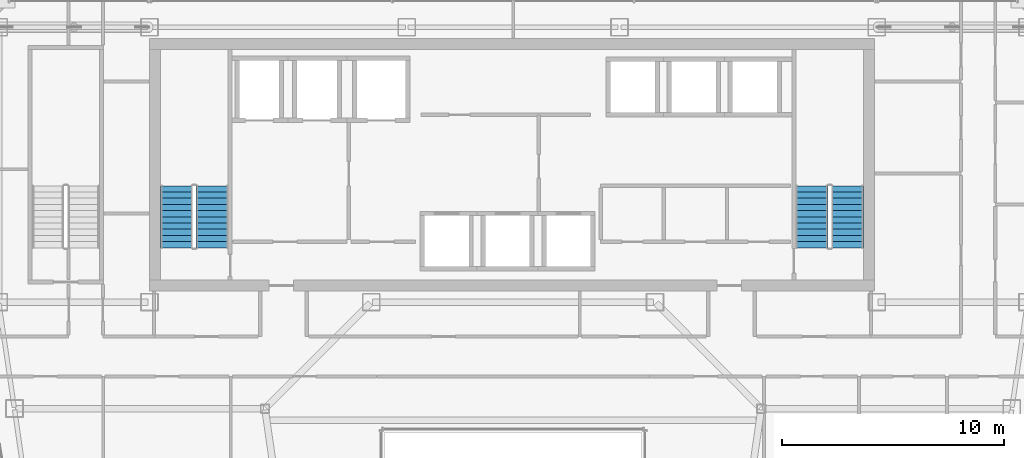
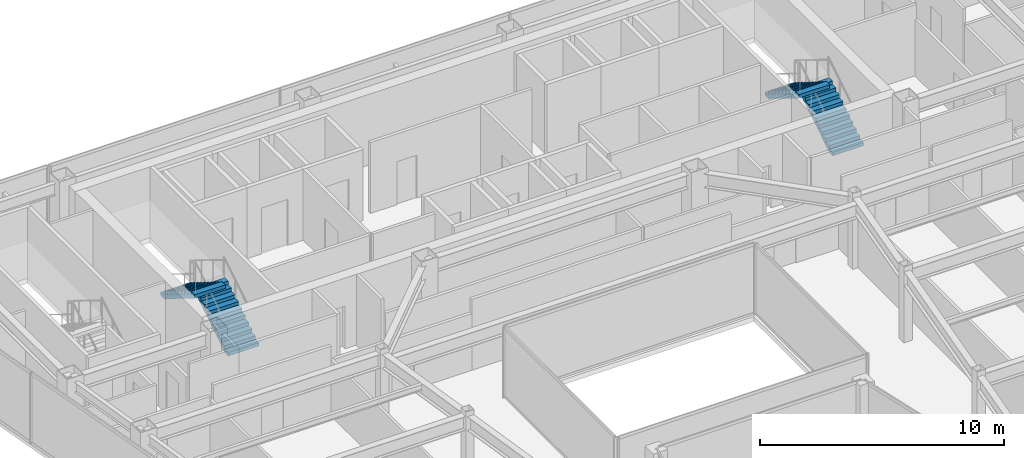
# One storey, part 33 of 36: 4 stair flights, 2 elements without a shape of their own.
"""IFC4 building model written with IfcOpenShell, lengths in metres."""

from ifc_helpers import new_model, si_unit, direction, frame, origin, place, context, subcontext, project, spatial, polyline, outline, extrude, material, type_object, element, aggregate, save


model = new_model("IFC4")

# Units and contexts
model_context = context("Model", 3, precision=1e-05, world=origin(), true_north=direction((0.0, 1.0)))
body_context = subcontext(model_context, "Body", "Model", "MODEL_VIEW")
ifc_project = project(units=[si_unit("LENGTHUNIT", "METRE"), si_unit("AREAUNIT", "SQUARE_METRE"), si_unit("VOLUMEUNIT", "CUBIC_METRE"), si_unit("PLANEANGLEUNIT", "RADIAN"), si_unit("MASSUNIT", "GRAM", prefix="KILO")], contexts=[model_context])

# Site, building, storey
site_placement = place(None, origin())
site = spatial("IfcSite", under=ifc_project, at=site_placement, CompositionType="ELEMENT")
building_placement = place(site_placement, origin())
building = spatial("IfcBuilding", under=site, at=building_placement, Name="Saevonmaru Cultural Tower", CompositionType="ELEMENT")
storey_placement = place(building_placement, frame((0.0, 0.0, 205.60009765625)))
storey = spatial("IfcBuildingStorey", under=building, at=storey_placement, Name="L47", CompositionType="ELEMENT", Elevation=205.60009765625)

# Stair, stair flights
ifc_material_1 = material(Name="Concrete C40/50", Category="concrete")
stair_type = type_object("IfcStairType", Name="STR-DOGLEG-RC", PredefinedType="HALF_TURN_STAIR", material=ifc_material_1)
stair_1_placement = place(storey_placement, origin())
stair_1 = element("IfcStair", 1, at=stair_1_placement, inside=storey, type_object=stair_type, Name="L47 Protected exit stair ST-1", PredefinedType="HALF_TURN_STAIR")
ifc_material_2 = material(Name="Precast concrete C40/50", Category="concrete")
stair_flight_type = type_object("IfcStairFlightType", Name="STF-PRECAST-180", PredefinedType="STRAIGHT", material=ifc_material_2)
stair_flight_1_placement = place(storey_placement, frame((16.425048828125, 44.85009765625, 0.0), z_axis=(0.0, 0.0, 1.0), x_axis=(0.0, 1.0, 0.0)))
stair_flight_1 = element("IfcStairFlight", 2, at=stair_flight_1_placement, type_object=stair_flight_type, Name="ST-1-L47 flight 1", NumberOfRisers=11, NumberOfTreads=10, PredefinedType="STRAIGHT", RiserHeight=0.172727273, TreadLength=0.28, context=body_context, shape_type="SweptSolid", body=[
    extrude(outline(polyline([(0.0, 0.0), (0.0, 0.172607421875), (0.280029296875, 0.172607421875), (0.280029296875, 0.345458984375), (0.56005859375, 0.345458984375), (0.56005859375, 0.51806640625), (0.840087890625, 0.51806640625), (0.840087890625, 0.69091796875), (1.1201171875, 0.69091796875), (1.1201171875, 0.863525390625), (1.39990234375, 0.863525390625), (1.39990234375, 1.036376953125), (1.679931640625, 1.036376953125), (1.679931640625, 1.208984375), (1.9599609375, 1.208984375), (1.9599609375, 1.3818359375), (2.239990234375, 1.3818359375), (2.239990234375, 1.554443359375), (2.52001953125, 1.554443359375), (2.52001953125, 1.727294921875), (2.800048828125, 1.727294921875), (2.800048828125, 1.89990234375), (2.800048828125, 1.551025390625), (0.285400390625, 0.0), (0.0, 0.0)])), frame((0.0, 0.72509765625, 0.0), z_axis=(0.0, -1.0, 0.0), x_axis=(1.0, 0.0, 0.0)), (0.0, 0.0, 1.0), 1.449951171875),
])
stair_flight_2_placement = place(storey_placement, frame((14.824951171875, 47.64990234375, 1.89990234375), z_axis=(0.0, 0.0, 1.0), x_axis=(0.0, -1.0, 0.0)))
stair_flight_2 = element("IfcStairFlight", 3, at=stair_flight_2_placement, type_object=stair_flight_type, Name="ST-1-L47 flight 2", NumberOfRisers=11, NumberOfTreads=10, PredefinedType="STRAIGHT", RiserHeight=0.172727273, TreadLength=0.28, context=body_context, shape_type="SweptSolid", body=[
    extrude(outline(polyline([(0.0, 0.0), (0.0, 0.172607421875), (0.280029296875, 0.172607421875), (0.280029296875, 0.345458984375), (0.56005859375, 0.345458984375), (0.56005859375, 0.51806640625), (0.840087890625, 0.51806640625), (0.840087890625, 0.69091796875), (1.1201171875, 0.69091796875), (1.1201171875, 0.863525390625), (1.39990234375, 0.863525390625), (1.39990234375, 1.036376953125), (1.679931640625, 1.036376953125), (1.679931640625, 1.208984375), (1.9599609375, 1.208984375), (1.9599609375, 1.3818359375), (2.239990234375, 1.3818359375), (2.239990234375, 1.554443359375), (2.52001953125, 1.554443359375), (2.52001953125, 1.727294921875), (2.800048828125, 1.727294921875), (2.800048828125, 1.89990234375), (2.800048828125, 1.551025390625), (0.285400390625, 0.0), (0.0, 0.0)])), frame((0.0, 0.72509765625, 0.0), z_axis=(0.0, -1.0, 0.0), x_axis=(1.0, 0.0, 0.0)), (0.0, 0.0, 1.0), 1.449951171875),
])
aggregate(stair_1, [stair_flight_1, stair_flight_2])

stair_2_placement = place(storey_placement, origin())
stair_2 = element("IfcStair", 4, at=stair_2_placement, inside=storey, type_object=stair_type, Name="L47 Protected exit stair ST-2", PredefinedType="HALF_TURN_STAIR")
stair_flight_3_placement = place(storey_placement, frame((45.074951171875, 44.85009765625, 0.0), z_axis=(0.0, 0.0, 1.0), x_axis=(0.0, 1.0, 0.0)))
stair_flight_3 = element("IfcStairFlight", 5, at=stair_flight_3_placement, type_object=stair_flight_type, Name="ST-2-L47 flight 1", NumberOfRisers=11, NumberOfTreads=10, PredefinedType="STRAIGHT", RiserHeight=0.172727273, TreadLength=0.28, context=body_context, shape_type="SweptSolid", body=[
    extrude(outline(polyline([(0.0, 0.0), (0.0, 0.172607421875), (0.280029296875, 0.172607421875), (0.280029296875, 0.345458984375), (0.56005859375, 0.345458984375), (0.56005859375, 0.51806640625), (0.840087890625, 0.51806640625), (0.840087890625, 0.69091796875), (1.1201171875, 0.69091796875), (1.1201171875, 0.863525390625), (1.39990234375, 0.863525390625), (1.39990234375, 1.036376953125), (1.679931640625, 1.036376953125), (1.679931640625, 1.208984375), (1.9599609375, 1.208984375), (1.9599609375, 1.3818359375), (2.239990234375, 1.3818359375), (2.239990234375, 1.554443359375), (2.52001953125, 1.554443359375), (2.52001953125, 1.727294921875), (2.800048828125, 1.727294921875), (2.800048828125, 1.89990234375), (2.800048828125, 1.551025390625), (0.285400390625, 0.0), (0.0, 0.0)])), frame((0.0, 0.72509765625, 0.0), z_axis=(0.0, -1.0, 0.0), x_axis=(1.0, 0.0, 0.0)), (0.0, 0.0, 1.0), 1.449951171875),
])
stair_flight_4_placement = place(storey_placement, frame((43.47509765625, 47.64990234375, 1.89990234375), z_axis=(0.0, 0.0, 1.0), x_axis=(0.0, -1.0, 0.0)))
stair_flight_4 = element("IfcStairFlight", 6, at=stair_flight_4_placement, type_object=stair_flight_type, Name="ST-2-L47 flight 2", NumberOfRisers=11, NumberOfTreads=10, PredefinedType="STRAIGHT", RiserHeight=0.172727273, TreadLength=0.28, context=body_context, shape_type="SweptSolid", body=[
    extrude(outline(polyline([(0.0, 0.0), (0.0, 0.172607421875), (0.280029296875, 0.172607421875), (0.280029296875, 0.345458984375), (0.56005859375, 0.345458984375), (0.56005859375, 0.51806640625), (0.840087890625, 0.51806640625), (0.840087890625, 0.69091796875), (1.1201171875, 0.69091796875), (1.1201171875, 0.863525390625), (1.39990234375, 0.863525390625), (1.39990234375, 1.036376953125), (1.679931640625, 1.036376953125), (1.679931640625, 1.208984375), (1.9599609375, 1.208984375), (1.9599609375, 1.3818359375), (2.239990234375, 1.3818359375), (2.239990234375, 1.554443359375), (2.52001953125, 1.554443359375), (2.52001953125, 1.727294921875), (2.800048828125, 1.727294921875), (2.800048828125, 1.89990234375), (2.800048828125, 1.551025390625), (0.285400390625, 0.0), (0.0, 0.0)])), frame((0.0, 0.72509765625, 0.0), z_axis=(0.0, -1.0, 0.0), x_axis=(1.0, 0.0, 0.0)), (0.0, 0.0, 1.0), 1.449951171875),
])
aggregate(stair_2, [stair_flight_3, stair_flight_4])

save(model, "model.ifc")
